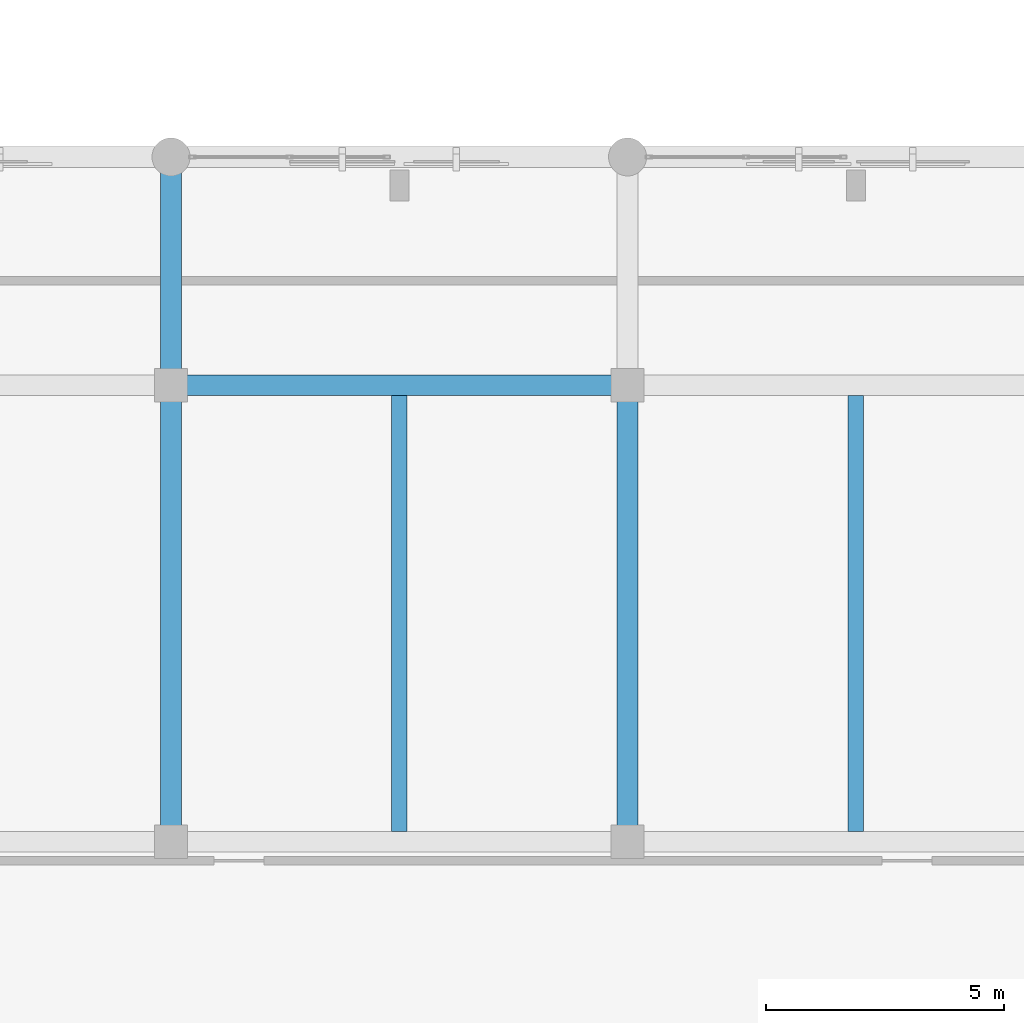
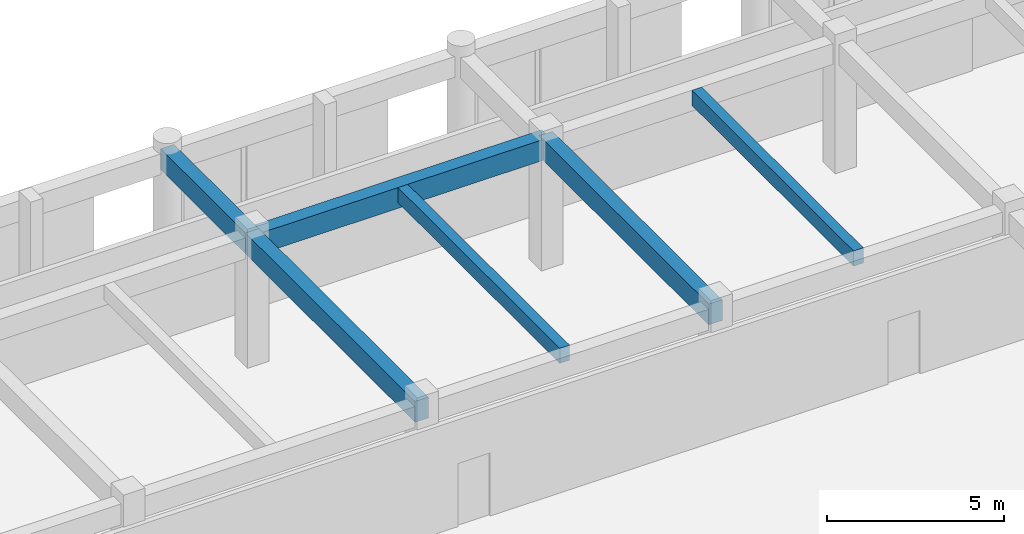
# One storey, part 26 of 133: 6 beams.
"""IFC4 building model written with IfcOpenShell, lengths in metres."""

from ifc_helpers import new_model, si_unit, direction, frame, origin, origin_2d, place, context, subcontext, project, spatial, rectangle, extrude, material, material_profile, profile_set, type_object, element, save


model = new_model("IFC4")

# Units and contexts
model_context = context("Model", 3, precision=1e-05, world=origin(), true_north=direction((0.0, 1.0)))
body_context = subcontext(model_context, "Body", "Model", "MODEL_VIEW")
ifc_project = project(units=[si_unit("LENGTHUNIT", "METRE"), si_unit("AREAUNIT", "SQUARE_METRE"), si_unit("VOLUMEUNIT", "CUBIC_METRE"), si_unit("PLANEANGLEUNIT", "RADIAN"), si_unit("MASSUNIT", "GRAM", prefix="KILO")], contexts=[model_context])

# Site, building, storey
site_placement = place(None, origin())
site = spatial("IfcSite", under=ifc_project, at=site_placement, CompositionType="ELEMENT")
building_placement = place(site_placement, origin())
building = spatial("IfcBuilding", under=site, at=building_placement, Name="Nakhvara Creek Congress Hotel", CompositionType="ELEMENT")
storey_placement = place(building_placement, frame((0.0, 0.0, 11.39990234375)))
storey = spatial("IfcBuildingStorey", under=building, at=storey_placement, Name="L02", CompositionType="ELEMENT", Elevation=11.39990234375)

# Beams
ifc_material = material(Name="Concrete C40/50", Category="concrete")
ifc_material_profile_1 = material_profile(ifc_material, rectangle(XDim=0.320068359375, YDim=0.52001953125, at=origin_2d()), Name="RC-BM 320x520", Category="LoadBearing")
ifc_profile_set_1 = profile_set([ifc_material_profile_1], Name="Concrete C40/50")
beam_type_1 = type_object("IfcBeamType", Name="BM-RC-320X520", PredefinedType="JOIST", material=ifc_profile_set_1)
for number, where, z_axis, x_axis, name in (
    (1, (100.800048828125, 29.02001953125, 4.16015625), (0.0, 1.0, 0.0), (-1.0, 0.0, 0.0), "Secondary Joist BJ2-L02-1677"),
    (2, (110.39990234375, 29.02001953125, 4.16015625), (0.0, 1.0, 0.0), (-1.0, 0.0, 0.0), "Secondary Joist BJ2-L02-1681"),
):
    element("IfcBeam", number, at=place(storey_placement, frame(where, z_axis=z_axis, x_axis=x_axis)), inside=storey, type_object=beam_type_1, Name=name, PredefinedType="JOIST", context=body_context, shape_type="SweptSolid", body=[
        extrude(rectangle(XDim=0.320068359375, YDim=0.52001953125, at=origin_2d()), origin(), (0.0, 0.0, 1.0), 9.159912109375),
    ])
ifc_material_profile_2 = material_profile(ifc_material, rectangle(XDim=0.43994140625, YDim=0.719970703125, at=origin_2d()), Name="RC-BM 440x720", Category="LoadBearing")
ifc_profile_set_2 = profile_set([ifc_material_profile_2], Name="Concrete C40/50")
beam_type_2 = type_object("IfcBeamType", Name="BM-RC-440X720", PredefinedType="BEAM", material=ifc_profile_set_2)
beam_1_placement = place(storey_placement, frame((96.0, 28.800048828125, 4.06005859375), z_axis=(0.0, 1.0, 0.0), x_axis=(-1.0, 0.0, 0.0)))
element("IfcBeam", 3, at=beam_1_placement, inside=storey, type_object=beam_type_2, Name="Beam B12-L02-1482", PredefinedType="BEAM", context=body_context, shape_type="SweptSolid", body=[
    extrude(rectangle(XDim=0.43994140625, YDim=0.719970703125, at=origin_2d()), origin(), (0.0, 0.0, 1.0), 9.599853515625),
])
beam_2_placement = place(storey_placement, frame((96.0, 38.39990234375, 4.06005859375), z_axis=(0.0, 1.0, 0.0), x_axis=(-1.0, 0.0, 0.0)))
element("IfcBeam", 4, at=beam_2_placement, inside=storey, type_object=beam_type_2, Name="Beam B12-L02-1484", PredefinedType="BEAM", context=body_context, shape_type="SweptSolid", body=[
    extrude(rectangle(XDim=0.43994140625, YDim=0.719970703125, at=origin_2d()), origin(), (0.0, 0.0, 1.0), 4.800048828125),
])
beam_3_placement = place(storey_placement, frame((96.0, 38.39990234375, 4.06005859375), z_axis=(1.0, 0.0, 0.0), x_axis=(0.0, 1.0, 0.0)))
element("IfcBeam", 5, at=beam_3_placement, inside=storey, type_object=beam_type_2, Name="Beam B12-L02-1485", PredefinedType="BEAM", context=body_context, shape_type="SweptSolid", body=[
    extrude(rectangle(XDim=0.43994140625, YDim=0.719970703125, at=origin_2d()), origin(), (0.0, 0.0, 1.0), 9.60009765625),
])
beam_4_placement = place(storey_placement, frame((105.60009765625, 28.800048828125, 4.06005859375), z_axis=(0.0, 1.0, 0.0), x_axis=(-1.0, 0.0, 0.0)))
element("IfcBeam", 6, at=beam_4_placement, inside=storey, type_object=beam_type_2, Name="Beam B12-L02-1495", PredefinedType="BEAM", context=body_context, shape_type="SweptSolid", body=[
    extrude(rectangle(XDim=0.43994140625, YDim=0.719970703125, at=origin_2d()), origin(), (0.0, 0.0, 1.0), 9.599853515625),
])

save(model, "model.ifc")
